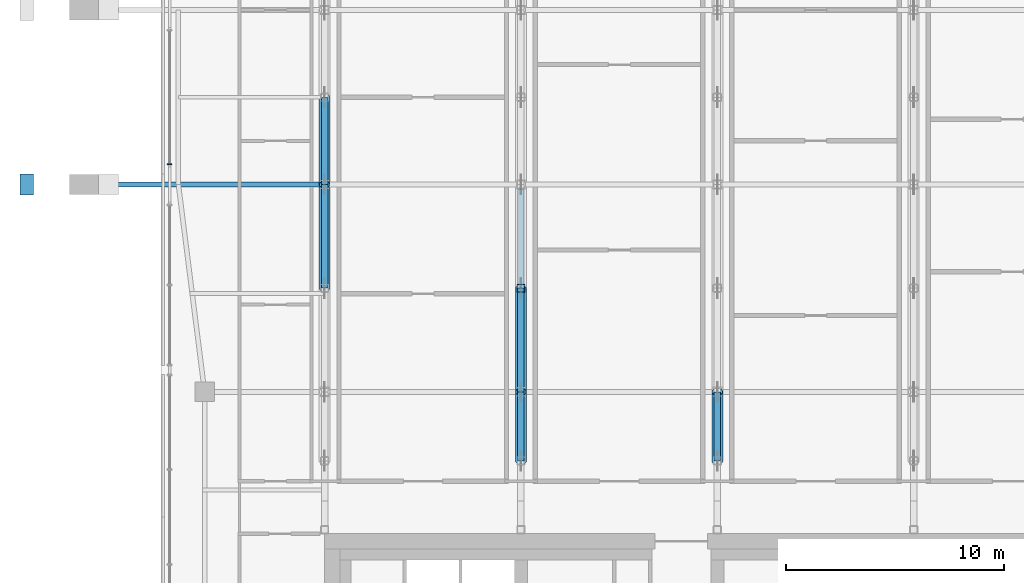
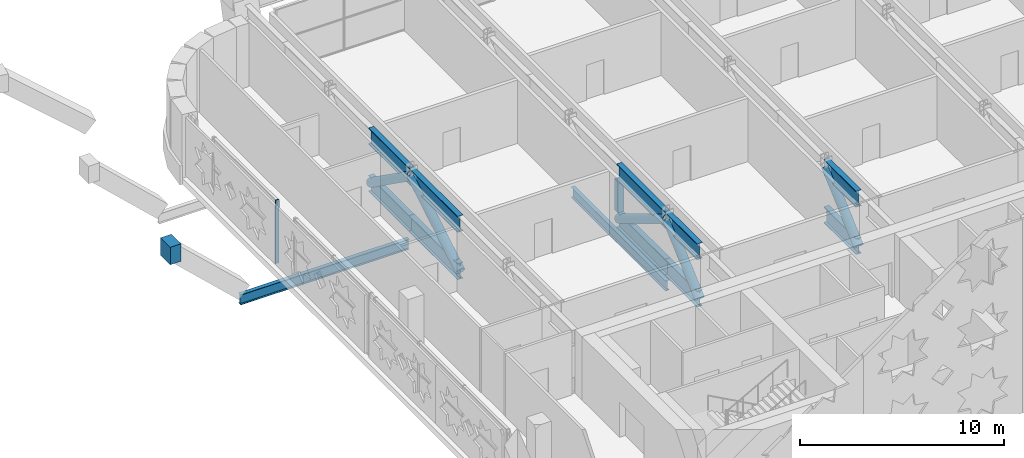
# One storey, part 4 of 26: 17 members, 3 beams, 1 element without a shape of its own.
"""IFC4 building model written with IfcOpenShell, lengths in metres."""

from ifc_helpers import new_model, si_unit, direction, frame, origin, origin_2d, place, context, subcontext, project, spatial, rectangle, hollow_rectangle, hollow_circle, i_section, extrude, material, material_profile, profile_set, type_object, element, aggregate, save


model = new_model("IFC4")

# Units and contexts
model_context = context("Model", 3, precision=1e-05, world=origin(), true_north=direction((0.0, 1.0)))
body_context = subcontext(model_context, "Body", "Model", "MODEL_VIEW")
ifc_project = project(units=[si_unit("LENGTHUNIT", "METRE"), si_unit("AREAUNIT", "SQUARE_METRE"), si_unit("VOLUMEUNIT", "CUBIC_METRE"), si_unit("PLANEANGLEUNIT", "RADIAN"), si_unit("MASSUNIT", "GRAM", prefix="KILO")], contexts=[model_context])

# Site, building, storey
site_placement = place(None, origin())
site = spatial("IfcSite", under=ifc_project, at=site_placement, CompositionType="ELEMENT")
building_placement = place(site_placement, origin())
building = spatial("IfcBuilding", under=site, at=building_placement, Name="Zellij Exchange Tower", CompositionType="ELEMENT")
storey_placement = place(building_placement, frame((0.0, 0.0, 216.5)))
storey = spatial("IfcBuildingStorey", under=building, at=storey_placement, Name="L50", CompositionType="ELEMENT", Elevation=216.5)

# Curtain wall, member
ifc_material_1 = material(Name="Aluminium frame, clear insulating glass", Category="aluminium")
curtain_wall_type = type_object("IfcCurtainWallType", Name="ENV-CW2 Outrigger-storey glazing", PredefinedType="NOTDEFINED", material=ifc_material_1)
curtain_wall_placement = place(storey_placement, origin())
curtain_wall = element("IfcCurtainWall", 1, at=curtain_wall_placement, inside=storey, type_object=curtain_wall_type, Name="cw.L50.21a.a", PredefinedType="NOTDEFINED")
ifc_material_2 = material(Name="Aluminium", Category="aluminium")
ifc_material_profile_1 = material_profile(ifc_material_2, rectangle(XDim=0.06005859375, YDim=0.199951171875, at=origin_2d()), Name="AL 60x200")
ifc_profile_set_1 = profile_set([ifc_material_profile_1], Name="Aluminium")
member_type_1 = type_object("IfcMemberType", Name="ENV-CW2M Mullion 60x200", PredefinedType="MULLION", material=ifc_profile_set_1)
member_1_placement = place(storey_placement, frame((-34.10009765625, 14.929931640625, 0.0), z_axis=(0.0, 0.0, 1.0), x_axis=(0.0, -1.0, 0.0)))
member_1 = element("IfcMember", 2, at=member_1_placement, type_object=member_type_1, Name="CW2 mullion 2", PredefinedType="MULLION", context=body_context, shape_type="SweptSolid", body=[
    extrude(rectangle(XDim=0.06005859375, YDim=0.199951171875, at=origin_2d()), origin(), (0.0, 0.0, 1.0), 3.800048828125),
])
aggregate(curtain_wall, [member_1])

# Beams
ifc_material_3 = material(Name="Concrete C60/75", Category="concrete")
ifc_material_profile_2 = material_profile(ifc_material_3, rectangle(XDim=0.949951171875, YDim=1.050048828125, at=origin_2d()), Name="STR-END BLOCK KNUCKLE RC950x1050 C60/75")
ifc_profile_set_2 = profile_set([ifc_material_profile_2], Name="Concrete C60/75")
beam_type_1 = type_object("IfcBeamType", Name="STR-END BLOCK KNUCKLE RC950x1050 C60/75", PredefinedType="BEAM", material=ifc_profile_set_2)
beam_1_placement = place(storey_placement, frame((-40.343505859375, 14.0, 3.675048828125), z_axis=(-1.0, 0.0, 0.0), x_axis=(0.0, -1.0, 0.0)))
element("IfcBeam", 3, at=beam_1_placement, inside=storey, type_object=beam_type_1, Name="EK1", PredefinedType="BEAM", context=body_context, shape_type="SweptSolid", body=[
    extrude(rectangle(XDim=0.949951171875, YDim=1.050048828125, at=origin_2d()), origin(), (0.0, 0.0, 1.0), 0.61669921875),
])
ifc_material_4 = material(Name="Structural steel ASTM A992 Gr 50", Category="steel")
ifc_material_profile_3 = material_profile(ifc_material_4, i_section(OverallWidth=0.228271484375, OverallDepth=0.607177734375, WebThickness=0.01123046875, FlangeThickness=0.017333984375, at=origin_2d()), Name="W24x76")
ifc_profile_set_3 = profile_set([ifc_material_profile_3], Name="Structural steel ASTM A992 Gr 50")
beam_type_2 = type_object("IfcBeamType", Name="STR-GIRDER W24x76", PredefinedType="BEAM", material=ifc_profile_set_3)
beam_2_placement = place(storey_placement, frame((-36.75, 14.0, -0.653564453125), z_axis=(1.0, 0.0, 0.0), x_axis=(0.0, 1.0, 0.0)))
element("IfcBeam", 4, at=beam_2_placement, inside=storey, type_object=beam_type_2, Name="G2", PredefinedType="BEAM", context=body_context, shape_type="SweptSolid", body=[
    extrude(i_section(OverallWidth=0.228271484375, OverallDepth=0.607177734375, WebThickness=0.01123046875, FlangeThickness=0.017333984375, at=origin_2d()), origin(), (0.0, 0.0, 1.0), 9.54541015625),
])
beam_3_placement = place(storey_placement, frame((-18.0, 4.5, -0.653564453125), z_axis=(0.0, 1.0, 0.0), x_axis=(-1.0, 0.0, 0.0)))
element("IfcBeam", 5, at=beam_3_placement, inside=storey, type_object=beam_type_2, Name="G2", PredefinedType="BEAM", context=body_context, shape_type="SweptSolid", body=[
    extrude(i_section(OverallWidth=0.228271484375, OverallDepth=0.607177734375, WebThickness=0.01123046875, FlangeThickness=0.017333984375, at=origin_2d()), origin(), (0.0, 0.0, 1.0), 9.287841796875),
])

# Members
ifc_material_5 = material(Name="Structural steel ASTM A913 Gr 65", Category="steel")
ifc_material_profile_4 = material_profile(ifc_material_5, i_section(OverallWidth=0.2998046875, OverallDepth=0.965087890625, WebThickness=0.01904296875, FlangeThickness=0.0361328125, at=origin_2d()), Name="W40x249")
ifc_profile_set_4 = profile_set([ifc_material_profile_4], Name="Structural steel ASTM A913 Gr 65")
member_type_2 = type_object("IfcMemberType", Name="STR-OUTRIGGER TRUSS CHORD W40x249", PredefinedType="CHORD", material=ifc_profile_set_4)
for number, where, z_axis, x_axis, name in (
    (6, (-27.0, 9.25, 3.3173828125), (0.0, 1.0, 0.0), (-1.0, 0.0, 0.0), "OT1"),
    (7, (-27.0, 9.25, 0.482666015625), (0.0, 1.0, 0.0), (-1.0, 0.0, 0.0), "OT1"),
):
    element("IfcMember", number, at=place(storey_placement, frame(where, z_axis=z_axis, x_axis=x_axis)), inside=storey, type_object=member_type_2, Name=name, PredefinedType="CHORD", context=body_context, shape_type="SweptSolid", body=[
        extrude(i_section(OverallWidth=0.2998046875, OverallDepth=0.965087890625, WebThickness=0.01904296875, FlangeThickness=0.0361328125, at=origin_2d()), origin(), (0.0, 0.0, 1.0), 4.75),
    ])
for number, where, z_axis, x_axis, name in (
    (8, (-27.0, 14.0, 3.3173828125), (0.0, 1.0, 0.0), (-1.0, 0.0, 0.0), "OT1"),
    (9, (-27.0, 14.0, 0.482666015625), (0.0, 1.0, 0.0), (-1.0, 0.0, 0.0), "OT1"),
):
    element("IfcMember", number, at=place(storey_placement, frame(where, z_axis=z_axis, x_axis=x_axis)), inside=storey, type_object=member_type_2, Name=name, PredefinedType="CHORD", context=body_context, shape_type="SweptSolid", body=[
        extrude(i_section(OverallWidth=0.2998046875, OverallDepth=0.965087890625, WebThickness=0.01904296875, FlangeThickness=0.0361328125, at=origin_2d()), origin(), (0.0, 0.0, 1.0), 4.0),
    ])
for number, where, z_axis, x_axis, name in (
    (10, (-18.0, 1.339111328125, 3.3173828125), (0.0, 1.0, 0.0), (-1.0, 0.0, 0.0), "OT1"),
    (11, (-18.0, 1.339111328125, 0.482666015625), (0.0, 1.0, 0.0), (-1.0, 0.0, 0.0), "OT1"),
):
    element("IfcMember", number, at=place(storey_placement, frame(where, z_axis=z_axis, x_axis=x_axis)), inside=storey, type_object=member_type_2, Name=name, PredefinedType="CHORD", context=body_context, shape_type="SweptSolid", body=[
        extrude(i_section(OverallWidth=0.2998046875, OverallDepth=0.965087890625, WebThickness=0.01904296875, FlangeThickness=0.0361328125, at=origin_2d()), origin(), (0.0, 0.0, 1.0), 3.160888671875),
    ])
for number, where, z_axis, x_axis, name in (
    (12, (-18.0, 4.5, 3.3173828125), (0.0, 1.0, 0.0), (-1.0, 0.0, 0.0), "OT1"),
    (13, (-18.0, 4.5, 0.482666015625), (0.0, 1.0, 0.0), (-1.0, 0.0, 0.0), "OT1"),
):
    element("IfcMember", number, at=place(storey_placement, frame(where, z_axis=z_axis, x_axis=x_axis)), inside=storey, type_object=member_type_2, Name=name, PredefinedType="CHORD", context=body_context, shape_type="SweptSolid", body=[
        extrude(i_section(OverallWidth=0.2998046875, OverallDepth=0.965087890625, WebThickness=0.01904296875, FlangeThickness=0.0361328125, at=origin_2d()), origin(), (0.0, 0.0, 1.0), 4.75),
    ])
for number, where, z_axis, x_axis, name in (
    (14, (-9.0, 1.339111328125, 3.3173828125), (0.0, 1.0, 0.0), (-1.0, 0.0, 0.0), "OT1"),
    (15, (-9.0, 1.339111328125, 0.482666015625), (0.0, 1.0, 0.0), (-1.0, 0.0, 0.0), "OT1"),
):
    element("IfcMember", number, at=place(storey_placement, frame(where, z_axis=z_axis, x_axis=x_axis)), inside=storey, type_object=member_type_2, Name=name, PredefinedType="CHORD", context=body_context, shape_type="SweptSolid", body=[
        extrude(i_section(OverallWidth=0.2998046875, OverallDepth=0.965087890625, WebThickness=0.01904296875, FlangeThickness=0.0361328125, at=origin_2d()), origin(), (0.0, 0.0, 1.0), 3.160888671875),
    ])
ifc_material_6 = material(Name="Structural steel ASTM A500 Gr C", Category="steel")
ifc_material_profile_5 = material_profile(ifc_material_6, hollow_circle(Radius=0.25390625, WallThickness=0.01171875, at=origin_2d()), Name="STR-OUTRIGGER TRUSS DIAGONAL HSS20.000x0.500")
ifc_profile_set_5 = profile_set([ifc_material_profile_5], Name="Structural steel ASTM A500 Gr C")
member_type_3 = type_object("IfcMemberType", Name="STR-OUTRIGGER TRUSS DIAGONAL HSS20.000x0.500", PredefinedType="BRACE", material=ifc_profile_set_5)
member_2_placement = place(storey_placement, frame((-27.0, 9.25, 0.482666015625), z_axis=(0.0, 0.858709450823, 0.512462758712), x_axis=(-1.0, 0.0, 0.0)))
element("IfcMember", 16, at=member_2_placement, inside=storey, type_object=member_type_3, Name="OT2", PredefinedType="BRACE", context=body_context, shape_type="SweptSolid", body=[
    extrude(hollow_circle(Radius=0.25390625, WallThickness=0.01171875, at=origin_2d()), origin(), (0.0, 0.0, 1.0), 5.531494140625),
])
member_3_placement = place(storey_placement, frame((-27.0, 14.0, 3.3173828125), z_axis=(0.0, 0.815891357609, -0.57820523396), x_axis=(-1.0, 0.0, 0.0)))
element("IfcMember", 17, at=member_3_placement, inside=storey, type_object=member_type_3, Name="OT2", PredefinedType="BRACE", context=body_context, shape_type="SweptSolid", body=[
    extrude(hollow_circle(Radius=0.25390625, WallThickness=0.01171875, at=origin_2d()), origin(), (0.0, 0.0, 1.0), 4.902587890625),
])
member_4_placement = place(storey_placement, frame((-18.0, 1.339111328125, 0.482666015625), z_axis=(0.0, 0.744473836996, 0.667651635233), x_axis=(-1.0, 0.0, 0.0)))
element("IfcMember", 18, at=member_4_placement, inside=storey, type_object=member_type_3, Name="OT2", PredefinedType="BRACE", context=body_context, shape_type="SweptSolid", body=[
    extrude(hollow_circle(Radius=0.25390625, WallThickness=0.01171875, at=origin_2d()), origin(), (0.0, 0.0, 1.0), 4.245849609375),
])
member_5_placement = place(storey_placement, frame((-18.0, 4.5, 3.3173828125), z_axis=(0.0, 0.858709450823, -0.512462758712), x_axis=(-1.0, 0.0, 0.0)))
element("IfcMember", 19, at=member_5_placement, inside=storey, type_object=member_type_3, Name="OT2", PredefinedType="BRACE", context=body_context, shape_type="SweptSolid", body=[
    extrude(hollow_circle(Radius=0.25390625, WallThickness=0.01171875, at=origin_2d()), origin(), (0.0, 0.0, 1.0), 5.531494140625),
])
member_6_placement = place(storey_placement, frame((-9.0, 1.339111328125, 0.482666015625), z_axis=(0.0, 0.744473836996, 0.667651635233), x_axis=(-1.0, 0.0, 0.0)))
element("IfcMember", 20, at=member_6_placement, inside=storey, type_object=member_type_3, Name="OT2", PredefinedType="BRACE", context=body_context, shape_type="SweptSolid", body=[
    extrude(hollow_circle(Radius=0.25390625, WallThickness=0.01171875, at=origin_2d()), origin(), (0.0, 0.0, 1.0), 4.245849609375),
])
ifc_material_profile_6 = material_profile(ifc_material_6, hollow_rectangle(XDim=0.355712890625, YDim=0.355712890625, WallThickness=0.01171875, InnerFilletRadius=0.01171875, OuterFilletRadius=0.023681640625, at=origin_2d()), Name="STR-OUTRIGGER TRUSS POST HSS14x14x1/2")
ifc_profile_set_6 = profile_set([ifc_material_profile_6], Name="Structural steel ASTM A500 Gr C")
member_type_4 = type_object("IfcMemberType", Name="STR-OUTRIGGER TRUSS POST HSS14x14x1/2", PredefinedType="POST", material=ifc_profile_set_6)
member_7_placement = place(storey_placement, frame((-18.0, 9.25, 0.965087890625), z_axis=(0.0, 0.0, 1.0), x_axis=(1.0, 0.0, 0.0)))
element("IfcMember", 21, at=member_7_placement, inside=storey, type_object=member_type_4, Name="OT3", PredefinedType="POST", context=body_context, shape_type="SweptSolid", body=[
    extrude(hollow_rectangle(XDim=0.355712890625, YDim=0.355712890625, WallThickness=0.01171875, InnerFilletRadius=0.01171875, OuterFilletRadius=0.023681640625, at=origin_2d()), origin(), (0.0, 0.0, 1.0), 1.86962890625),
])

save(model, "model.ifc")
